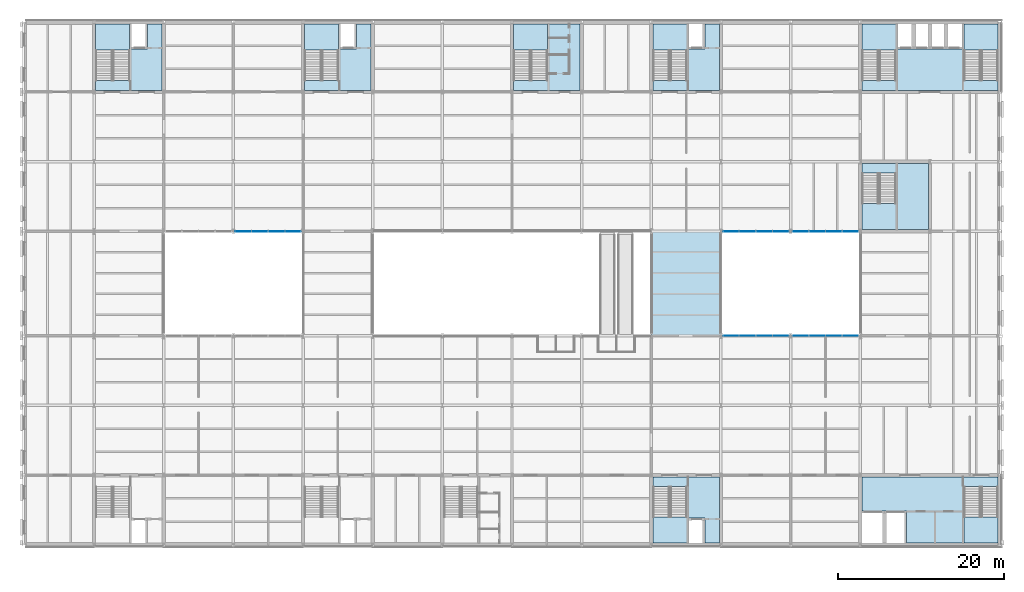
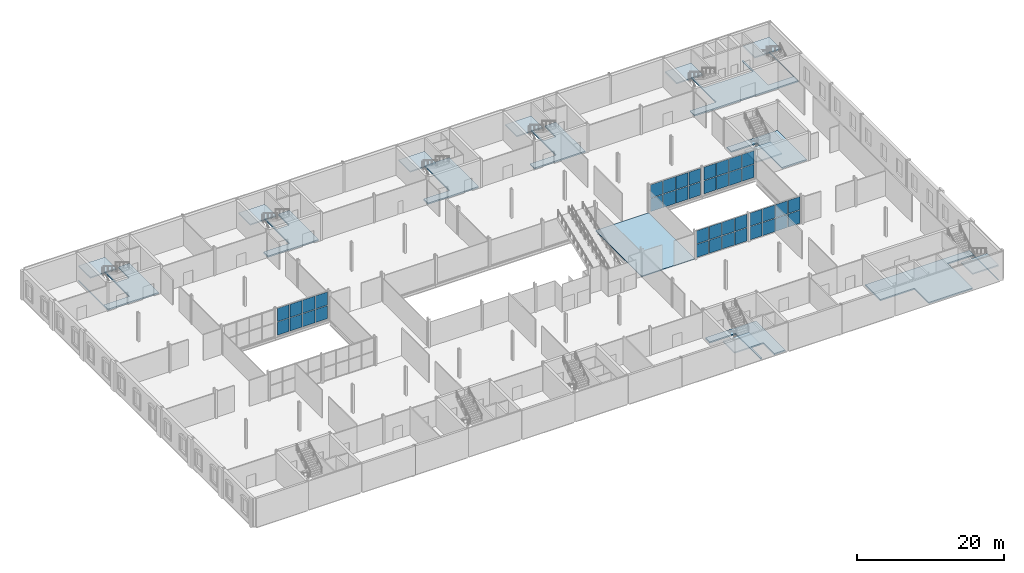
# One storey, part 26 of 57: 40 plates, 18 slabs, 14 elements without a shape of their own.
"""IFC4 building model written with IfcOpenShell, lengths in metres."""

import ifcopenshell
import ifcopenshell.guid

model = None  # the IFC model being written
_history = None  # IfcOwnerHistory: only IFC2X3 demands one
_inside = {}  # id of a spatial element -> (the spatial element, [elements in it])
_under = {}  # id of a project, library or spatial element -> (it, [spatial elements below it])
_declared = {}  # id of a project -> (the project, [libraries it declares])
_typed = {}  # id of a type object -> (the type object, [elements of that type])
_made_of = {}  # id of a material, layer set ... -> (it, [elements and type objects made of it])


def new_model(schema):
    """Start an empty IFC model of exactly this schema.

    Asked for "IFC4X3", IfcOpenShell would pick the latest addendum, in which some entities
    have other attributes; the version numbers below select the first issue.
    IFC2X3 requires an IfcOwnerHistory on every rooted entity: one is made here for all.
    """
    global model, _history
    if schema == "IFC4X3":
        model = ifcopenshell.file(schema_version=(4, 3, 0, 0))
    else:
        model = ifcopenshell.file(schema=schema)
    _inside.clear()
    _under.clear()
    _declared.clear()
    _typed.clear()
    _made_of.clear()
    _history = None
    if model.schema == "IFC2X3":
        org = make("IfcOrganization", Name="unknown")
        user = make(
            "IfcPersonAndOrganization",
            ThePerson=make("IfcPerson", FamilyName="unknown"),
            TheOrganization=org,
        )
        app = make(
            "IfcApplication",
            ApplicationDeveloper=org,
            Version="unknown",
            ApplicationFullName="unknown",
            ApplicationIdentifier="unknown",
        )
        _history = make(
            "IfcOwnerHistory",
            OwningUser=user,
            OwningApplication=app,
            ChangeAction="ADDED",
            CreationDate=0,
        )
    return model


def make(cls, **values):
    """One entity of the class cls with the attributes given. An attribute that is None is left unset."""
    return model.create_entity(
        cls, **{name: value for name, value in values.items() if value is not None}
    )


def rooted(cls, **values):
    """An entity with a GlobalId (a new one), such as an element, a storey or a relation."""
    return make(cls, GlobalId=ifcopenshell.guid.new(), OwnerHistory=_history, **values)


def si_unit(unit_type, name, prefix=None):
    """IfcSIUnit, for example si_unit("LENGTHUNIT", "METRE", prefix="MILLI")."""
    return make("IfcSIUnit", UnitType=unit_type, Prefix=prefix, Name=name)


def assignment(units):
    """IfcUnitAssignment: the units of a project."""
    return None if units is None else make("IfcUnitAssignment", Units=units)


def point(xyz):
    """IfcCartesianPoint."""
    return None if xyz is None else make("IfcCartesianPoint", Coordinates=xyz)


def direction(xyz):
    """IfcDirection."""
    return None if xyz is None else make("IfcDirection", DirectionRatios=xyz)


def frame(location, z_axis=None, x_axis=None):
    """IfcAxis2Placement3D, a coordinate frame: its origin and axes. An axis left out is left unset."""
    return make(
        "IfcAxis2Placement3D",
        Location=point(location),
        Axis=direction(z_axis),
        RefDirection=direction(x_axis),
    )


def frame_2d(location, x_axis=None):
    """IfcAxis2Placement2D, a coordinate frame in the plane: its origin and x axis."""
    return make(
        "IfcAxis2Placement2D", Location=point(location), RefDirection=direction(x_axis)
    )


def origin():
    """The frame at (0, 0, 0) with its axes left unset."""
    return frame((0.0, 0.0, 0.0))


def origin_2d():
    """The frame at (0, 0) in the plane with its x axis left unset."""
    return frame_2d((0.0, 0.0))


def place(relative_to, where):
    """IfcLocalPlacement: puts the frame where relative to a parent placement (None: the world)."""
    return make(
        "IfcLocalPlacement", PlacementRelTo=relative_to, RelativePlacement=where
    )


def context(
    kind, dimensions, precision=None, world=None, true_north=None, identifier=None
):
    """IfcGeometricRepresentationContext, for example the 3D "Model" context."""
    return make(
        "IfcGeometricRepresentationContext",
        ContextIdentifier=identifier,
        ContextType=kind,
        CoordinateSpaceDimension=dimensions,
        Precision=precision,
        WorldCoordinateSystem=world,
        TrueNorth=true_north,
    )


def subcontext(parent, identifier, kind, view, scale=None):
    """IfcGeometricRepresentationSubContext, for example "Body" below "Model"."""
    return make(
        "IfcGeometricRepresentationSubContext",
        ContextIdentifier=identifier,
        ContextType=kind,
        ParentContext=parent,
        TargetScale=scale,
        TargetView=view,
    )


def project(units=None, contexts=None):
    """IfcProject with its units and contexts."""
    return rooted(
        "IfcProject",
        Name="project",
        RepresentationContexts=contexts,
        UnitsInContext=assignment(units),
    )


def spatial(cls, under=None, at=None, **own):
    """A site, building, storey or space (cls), placed at a placement, below another one or the project."""
    s = rooted(cls, ObjectPlacement=at, **own)
    if under is not None:
        _under.setdefault(under.id(), (under, []))[1].append(s)
    return s


def polyline(points):
    """IfcPolyline through the points."""
    return make("IfcPolyline", Points=[point(p) for p in points])


def profile(cls, at=None, kind="AREA", **sizes):
    """A parametric profile (cls). Its sizes go by their IFC names, for example OverallWidth=200.0."""
    return make(cls, ProfileType=kind, Position=at, **sizes)


def rectangle(**sizes):
    """IfcRectangleProfileDef."""
    return profile("IfcRectangleProfileDef", **sizes)


def outline(outer, holes=None, kind="AREA"):
    """IfcArbitraryClosedProfileDef: a profile drawn as a closed curve; with holes, ...WithVoids."""
    if holes is None:
        return make("IfcArbitraryClosedProfileDef", ProfileType=kind, OuterCurve=outer)
    return make(
        "IfcArbitraryProfileDefWithVoids",
        ProfileType=kind,
        OuterCurve=outer,
        InnerCurves=holes,
    )


def extrude(swept, where, along, depth):
    """IfcExtrudedAreaSolid: the profile swept, set in the frame where, extruded along a direction by depth."""
    return make(
        "IfcExtrudedAreaSolid",
        SweptArea=swept,
        Position=where,
        ExtrudedDirection=direction(along),
        Depth=depth,
    )


def shape(context_of_items, identifier, shape_type, items):
    """IfcShapeRepresentation: the items that make up one representation, for example the "Body"."""
    return make(
        "IfcShapeRepresentation",
        ContextOfItems=context_of_items,
        RepresentationIdentifier=identifier,
        RepresentationType=shape_type,
        Items=items,
    )


def material(Name=None, Category=None):
    """IfcMaterial."""
    return make("IfcMaterial", Name=Name, Category=Category)


def layer(
    of_material, thickness, ventilated=None, Name=None, Category=None, Priority=None
):
    """IfcMaterialLayer: one layer of a wall or slab, of a material (None: an air gap)."""
    return make(
        "IfcMaterialLayer",
        Material=of_material,
        LayerThickness=thickness,
        IsVentilated=ventilated,
        Name=Name,
        Category=Category,
        Priority=Priority,
    )


def layer_set(layers, Name=None):
    """IfcMaterialLayerSet."""
    return make("IfcMaterialLayerSet", MaterialLayers=layers, LayerSetName=Name)


def made_of(thing, what):
    """Note that an element or type object is made of a material, layer set ...; save() writes the relation."""
    if what is not None:
        _made_of.setdefault(what.id(), (what, []))[1].append(thing)
    return thing


def type_object(cls, material=None, **own):
    """A type object (cls), such as IfcWallType, which elements share."""
    return made_of(rooted(cls, **own), material)


def element(
    cls,
    number,
    at=None,
    inside=None,
    cuts=None,
    type_object=None,
    material=None,
    context=None,
    identifier="Body",
    shape_type=None,
    held_by="IfcProductDefinitionShape",
    body=None,
    shapes=None,
    **own,
):
    """One element of the class cls, such as IfcWall. Its Tag is "e" and its number.

    at: its placement. inside: the storey or other place that contains it. cuts: it is an
    opening in that element (IfcRelVoidsElement). A single representation is given by context,
    identifier, shape_type and body (its items); several are given by shapes. held_by: the class
    of the entity that holds the representations. save() writes the other relations.
    """
    e = rooted(cls, Tag="e%d" % number, ObjectPlacement=at, **own)
    if body is not None:
        shapes = [shape(context, identifier, shape_type, body)]
    if shapes is not None:
        e.Representation = make(held_by, Representations=shapes)
    if inside is not None:
        _inside.setdefault(inside.id(), (inside, []))[1].append(e)
    if cuts is not None:
        rooted(
            "IfcRelVoidsElement", RelatingBuildingElement=cuts, RelatedOpeningElement=e
        )
    if type_object is not None:
        _typed.setdefault(type_object.id(), (type_object, []))[1].append(e)
    return made_of(e, material)


def aggregate(whole, parts):
    """IfcRelAggregates: a whole, such as a stair, and the parts it consists of."""
    return rooted("IfcRelAggregates", RelatingObject=whole, RelatedObjects=parts)


def save(model, path):
    """Write the relations noted so far, then the file.

    IfcRelAggregates (storeys below a building ...), IfcRelContainedInSpatialStructure (elements
    in a storey), IfcRelDefinesByType, IfcRelAssociatesMaterial and IfcRelDeclares: one each for
    every whole, place, type object, material and project.
    """
    for whole, parts in _under.values():
        aggregate(whole, parts)
    for where, things in _inside.values():
        rooted(
            "IfcRelContainedInSpatialStructure",
            RelatedElements=things,
            RelatingStructure=where,
        )
    for kind, things in _typed.values():
        rooted("IfcRelDefinesByType", RelatedObjects=things, RelatingType=kind)
    for what, things in _made_of.values():
        rooted("IfcRelAssociatesMaterial", RelatedObjects=things, RelatingMaterial=what)
    for by, libraries in _declared.values():
        rooted("IfcRelDeclares", RelatingContext=by, RelatedDefinitions=libraries)
    model.write(path)


model = new_model("IFC4")

# Units and contexts
model_context = context("Model", 3, precision=1e-05, world=origin(), true_north=direction((0.0, 1.0)))
body_context = subcontext(model_context, "Body", "Model", "MODEL_VIEW")
ifc_project = project(units=[si_unit("LENGTHUNIT", "METRE"), si_unit("AREAUNIT", "SQUARE_METRE"), si_unit("VOLUMEUNIT", "CUBIC_METRE"), si_unit("PLANEANGLEUNIT", "RADIAN"), si_unit("MASSUNIT", "GRAM", prefix="KILO")], contexts=[model_context])

# Site, building, storey
site_placement = place(None, origin())
site = spatial("IfcSite", under=ifc_project, at=site_placement, CompositionType="ELEMENT")
building_placement = place(site_placement, origin())
building = spatial("IfcBuilding", under=site, at=building_placement, Name="Galleria Vessillo Department Store", CompositionType="ELEMENT")
storey_placement = place(building_placement, frame((0.0, 0.0, 21.0)))
storey = spatial("IfcBuildingStorey", under=building, at=storey_placement, Name="L04", CompositionType="ELEMENT", Elevation=21.0)

# Slab
ifc_material_1 = material(Name="Concrete C32/40 composite on steel deck", Category="concrete")
ifc_layer_1 = layer(ifc_material_1, 0.14990234375)
ifc_layer_set_1 = layer_set([ifc_layer_1], Name="Concrete C32/40 composite on steel deck")
slab_type_1 = type_object("IfcSlabType", Name="Composite bridge slab 150 mm", PredefinedType="FLOOR", material=ifc_layer_set_1)
slab_1_placement = place(storey_placement, frame((0.0, 0.0, -0.14990234375)))
element("IfcSlab", 1, at=slab_1_placement, inside=storey, type_object=slab_type_1, Name="S-SLAB-L04-BRIDGE-E", PredefinedType="FLOOR", context=body_context, shape_type="SweptSolid", body=[
    extrude(outline(polyline([(84.0, 25.199951171875), (84.0, 37.800048828125), (75.60009765625, 37.800048828125), (75.60009765625, 25.199951171875), (84.0, 25.199951171875)])), origin(), (0.0, 0.0, 1.0), 0.14990234375),
])

# Curtain wall, plates
ifc_material_2 = material(Name="Steel and fire-resisting glass curtain wall", Category="steel")
ifc_layer_2 = layer(ifc_material_2, 0.199951171875)
ifc_layer_set_2 = layer_set([ifc_layer_2], Name="Steel and fire-resisting glass curtain wall")
curtain_wall_type = type_object("IfcCurtainWallType", Name="Arcade fire-resisting glazed shopfront EI 120-Sa", PredefinedType="NOTDEFINED", material=ifc_layer_set_2)
curtain_wall_1_placement = place(storey_placement, origin())
curtain_wall_1 = element("IfcCurtainWall", 2, at=curtain_wall_1_placement, inside=storey, type_object=curtain_wall_type, Name="Arcade fire-resisting glazed shopfront EI 120-Sa AI-AE-S-L04-01", PredefinedType="NOTDEFINED")
ifc_material_3 = material(Name="Fire-resisting laminated glass EI 120", Category="glass")
ifc_layer_3 = layer(ifc_material_3, 0.052001953125)
ifc_layer_set_3 = layer_set([ifc_layer_3], Name="Fire-resisting laminated glass EI 120")
plate_type = type_object("IfcPlateType", Name="Fire-resisting glass panel 52 mm EI 120", PredefinedType="CURTAIN_PANEL", material=ifc_layer_set_3)
plate_1_placement = place(storey_placement, frame((85.189453125, 25.199951171875, 0.10009765625), z_axis=(0.0, 0.0, 1.0), x_axis=(1.0, 0.0, 0.0)))
plate_1 = element("IfcPlate", 3, at=plate_1_placement, type_object=plate_type, Name="CW7 panel 1.1", PredefinedType="CURTAIN_PANEL", context=body_context, shape_type="SweptSolid", body=[
    extrude(rectangle(XDim=1.87353515625, YDim=0.052001953125, at=origin_2d()), origin(), (0.0, 0.0, 1.0), 2.175048828125),
])
plate_2_placement = place(storey_placement, frame((85.189453125, 25.199951171875, 2.375), z_axis=(0.0, 0.0, 1.0), x_axis=(1.0, 0.0, 0.0)))
plate_2 = element("IfcPlate", 4, at=plate_2_placement, type_object=plate_type, Name="CW7 panel 1.2", PredefinedType="CURTAIN_PANEL", context=body_context, shape_type="SweptSolid", body=[
    extrude(rectangle(XDim=1.87353515625, YDim=0.052001953125, at=origin_2d()), origin(), (0.0, 0.0, 1.0), 2.175048828125),
])
plate_3_placement = place(storey_placement, frame((87.18798828125, 25.199951171875, 0.10009765625), z_axis=(0.0, 0.0, 1.0), x_axis=(1.0, 0.0, 0.0)))
plate_3 = element("IfcPlate", 5, at=plate_3_placement, type_object=plate_type, Name="CW7 panel 2.1", PredefinedType="CURTAIN_PANEL", context=body_context, shape_type="SweptSolid", body=[
    extrude(rectangle(XDim=1.923583984375, YDim=0.052001953125, at=origin_2d()), origin(), (0.0, 0.0, 1.0), 2.175048828125),
])
plate_4_placement = place(storey_placement, frame((87.18798828125, 25.199951171875, 2.375), z_axis=(0.0, 0.0, 1.0), x_axis=(1.0, 0.0, 0.0)))
plate_4 = element("IfcPlate", 6, at=plate_4_placement, type_object=plate_type, Name="CW7 panel 2.2", PredefinedType="CURTAIN_PANEL", context=body_context, shape_type="SweptSolid", body=[
    extrude(rectangle(XDim=1.923583984375, YDim=0.052001953125, at=origin_2d()), origin(), (0.0, 0.0, 1.0), 2.175048828125),
])
plate_5_placement = place(storey_placement, frame((89.21142578125, 25.199951171875, 0.10009765625), z_axis=(0.0, 0.0, 1.0), x_axis=(1.0, 0.0, 0.0)))
plate_5 = element("IfcPlate", 7, at=plate_5_placement, type_object=plate_type, Name="CW7 panel 3.1", PredefinedType="CURTAIN_PANEL", context=body_context, shape_type="SweptSolid", body=[
    extrude(rectangle(XDim=1.923583984375, YDim=0.052001953125, at=origin_2d()), origin(), (0.0, 0.0, 1.0), 2.175048828125),
])
plate_6_placement = place(storey_placement, frame((89.21142578125, 25.199951171875, 2.375), z_axis=(0.0, 0.0, 1.0), x_axis=(1.0, 0.0, 0.0)))
plate_6 = element("IfcPlate", 8, at=plate_6_placement, type_object=plate_type, Name="CW7 panel 3.2", PredefinedType="CURTAIN_PANEL", context=body_context, shape_type="SweptSolid", body=[
    extrude(rectangle(XDim=1.923583984375, YDim=0.052001953125, at=origin_2d()), origin(), (0.0, 0.0, 1.0), 2.175048828125),
])
plate_7_placement = place(storey_placement, frame((91.2099609375, 25.199951171875, 0.10009765625), z_axis=(0.0, 0.0, 1.0), x_axis=(1.0, 0.0, 0.0)))
plate_7 = element("IfcPlate", 9, at=plate_7_placement, type_object=plate_type, Name="CW7 panel 4.1", PredefinedType="CURTAIN_PANEL", context=body_context, shape_type="SweptSolid", body=[
    extrude(rectangle(XDim=1.87353515625, YDim=0.052001953125, at=origin_2d()), origin(), (0.0, 0.0, 1.0), 2.175048828125),
])
plate_8_placement = place(storey_placement, frame((91.2099609375, 25.199951171875, 2.375), z_axis=(0.0, 0.0, 1.0), x_axis=(1.0, 0.0, 0.0)))
plate_8 = element("IfcPlate", 10, at=plate_8_placement, type_object=plate_type, Name="CW7 panel 4.2", PredefinedType="CURTAIN_PANEL", context=body_context, shape_type="SweptSolid", body=[
    extrude(rectangle(XDim=1.87353515625, YDim=0.052001953125, at=origin_2d()), origin(), (0.0, 0.0, 1.0), 2.175048828125),
])
aggregate(curtain_wall_1, [plate_1, plate_2, plate_3, plate_4, plate_5, plate_6, plate_7, plate_8])

curtain_wall_2_placement = place(storey_placement, origin())
curtain_wall_2 = element("IfcCurtainWall", 11, at=curtain_wall_2_placement, inside=storey, type_object=curtain_wall_type, Name="Arcade fire-resisting glazed shopfront EI 120-Sa AI-AE-S-L04-02", PredefinedType="NOTDEFINED")
plate_9_placement = place(storey_placement, frame((93.58984375, 25.199951171875, 0.10009765625), z_axis=(0.0, 0.0, 1.0), x_axis=(1.0, 0.0, 0.0)))
plate_9 = element("IfcPlate", 12, at=plate_9_placement, type_object=plate_type, Name="CW7 panel 1.1", PredefinedType="CURTAIN_PANEL", context=body_context, shape_type="SweptSolid", body=[
    extrude(rectangle(XDim=1.87353515625, YDim=0.052001953125, at=origin_2d()), origin(), (0.0, 0.0, 1.0), 2.175048828125),
])
plate_10_placement = place(storey_placement, frame((93.58984375, 25.199951171875, 2.375), z_axis=(0.0, 0.0, 1.0), x_axis=(1.0, 0.0, 0.0)))
plate_10 = element("IfcPlate", 13, at=plate_10_placement, type_object=plate_type, Name="CW7 panel 1.2", PredefinedType="CURTAIN_PANEL", context=body_context, shape_type="SweptSolid", body=[
    extrude(rectangle(XDim=1.87353515625, YDim=0.052001953125, at=origin_2d()), origin(), (0.0, 0.0, 1.0), 2.175048828125),
])
plate_11_placement = place(storey_placement, frame((95.58837890625, 25.199951171875, 0.10009765625), z_axis=(0.0, 0.0, 1.0), x_axis=(1.0, 0.0, 0.0)))
plate_11 = element("IfcPlate", 14, at=plate_11_placement, type_object=plate_type, Name="CW7 panel 2.1", PredefinedType="CURTAIN_PANEL", context=body_context, shape_type="SweptSolid", body=[
    extrude(rectangle(XDim=1.923583984375, YDim=0.052001953125, at=origin_2d()), origin(), (0.0, 0.0, 1.0), 2.175048828125),
])
plate_12_placement = place(storey_placement, frame((95.58837890625, 25.199951171875, 2.375), z_axis=(0.0, 0.0, 1.0), x_axis=(1.0, 0.0, 0.0)))
plate_12 = element("IfcPlate", 15, at=plate_12_placement, type_object=plate_type, Name="CW7 panel 2.2", PredefinedType="CURTAIN_PANEL", context=body_context, shape_type="SweptSolid", body=[
    extrude(rectangle(XDim=1.923583984375, YDim=0.052001953125, at=origin_2d()), origin(), (0.0, 0.0, 1.0), 2.175048828125),
])
plate_13_placement = place(storey_placement, frame((97.612060546875, 25.199951171875, 0.10009765625), z_axis=(0.0, 0.0, 1.0), x_axis=(1.0, 0.0, 0.0)))
plate_13 = element("IfcPlate", 16, at=plate_13_placement, type_object=plate_type, Name="CW7 panel 3.1", PredefinedType="CURTAIN_PANEL", context=body_context, shape_type="SweptSolid", body=[
    extrude(rectangle(XDim=1.923583984375, YDim=0.052001953125, at=origin_2d()), origin(), (0.0, 0.0, 1.0), 2.175048828125),
])
plate_14_placement = place(storey_placement, frame((97.612060546875, 25.199951171875, 2.375), z_axis=(0.0, 0.0, 1.0), x_axis=(1.0, 0.0, 0.0)))
plate_14 = element("IfcPlate", 17, at=plate_14_placement, type_object=plate_type, Name="CW7 panel 3.2", PredefinedType="CURTAIN_PANEL", context=body_context, shape_type="SweptSolid", body=[
    extrude(rectangle(XDim=1.923583984375, YDim=0.052001953125, at=origin_2d()), origin(), (0.0, 0.0, 1.0), 2.175048828125),
])
plate_15_placement = place(storey_placement, frame((99.610595703125, 25.199951171875, 0.10009765625), z_axis=(0.0, 0.0, 1.0), x_axis=(1.0, 0.0, 0.0)))
plate_15 = element("IfcPlate", 18, at=plate_15_placement, type_object=plate_type, Name="CW7 panel 4.1", PredefinedType="CURTAIN_PANEL", context=body_context, shape_type="SweptSolid", body=[
    extrude(rectangle(XDim=1.87353515625, YDim=0.052001953125, at=origin_2d()), origin(), (0.0, 0.0, 1.0), 2.175048828125),
])
plate_16_placement = place(storey_placement, frame((99.610595703125, 25.199951171875, 2.375), z_axis=(0.0, 0.0, 1.0), x_axis=(1.0, 0.0, 0.0)))
plate_16 = element("IfcPlate", 19, at=plate_16_placement, type_object=plate_type, Name="CW7 panel 4.2", PredefinedType="CURTAIN_PANEL", context=body_context, shape_type="SweptSolid", body=[
    extrude(rectangle(XDim=1.87353515625, YDim=0.052001953125, at=origin_2d()), origin(), (0.0, 0.0, 1.0), 2.175048828125),
])
aggregate(curtain_wall_2, [plate_9, plate_10, plate_11, plate_12, plate_13, plate_14, plate_15, plate_16])

curtain_wall_3_placement = place(storey_placement, origin())
curtain_wall_3 = element("IfcCurtainWall", 20, at=curtain_wall_3_placement, inside=storey, type_object=curtain_wall_type, Name="Arcade fire-resisting glazed shopfront EI 120-Sa AI-AW-N-L04-02", PredefinedType="NOTDEFINED")
plate_17_placement = place(storey_placement, frame((26.389892578125, 37.800048828125, 0.10009765625), z_axis=(0.0, 0.0, 1.0), x_axis=(1.0, 0.0, 0.0)))
plate_17 = element("IfcPlate", 21, at=plate_17_placement, type_object=plate_type, Name="CW7 panel 1.1", PredefinedType="CURTAIN_PANEL", context=body_context, shape_type="SweptSolid", body=[
    extrude(rectangle(XDim=1.87353515625, YDim=0.052001953125, at=origin_2d()), origin(), (0.0, 0.0, 1.0), 2.175048828125),
])
plate_18_placement = place(storey_placement, frame((26.389892578125, 37.800048828125, 2.375), z_axis=(0.0, 0.0, 1.0), x_axis=(1.0, 0.0, 0.0)))
plate_18 = element("IfcPlate", 22, at=plate_18_placement, type_object=plate_type, Name="CW7 panel 1.2", PredefinedType="CURTAIN_PANEL", context=body_context, shape_type="SweptSolid", body=[
    extrude(rectangle(XDim=1.87353515625, YDim=0.052001953125, at=origin_2d()), origin(), (0.0, 0.0, 1.0), 2.175048828125),
])
plate_19_placement = place(storey_placement, frame((28.388427734375, 37.800048828125, 0.10009765625), z_axis=(0.0, 0.0, 1.0), x_axis=(1.0, 0.0, 0.0)))
plate_19 = element("IfcPlate", 23, at=plate_19_placement, type_object=plate_type, Name="CW7 panel 2.1", PredefinedType="CURTAIN_PANEL", context=body_context, shape_type="SweptSolid", body=[
    extrude(rectangle(XDim=1.923583984375, YDim=0.052001953125, at=origin_2d()), origin(), (0.0, 0.0, 1.0), 2.175048828125),
])
plate_20_placement = place(storey_placement, frame((28.388427734375, 37.800048828125, 2.375), z_axis=(0.0, 0.0, 1.0), x_axis=(1.0, 0.0, 0.0)))
plate_20 = element("IfcPlate", 24, at=plate_20_placement, type_object=plate_type, Name="CW7 panel 2.2", PredefinedType="CURTAIN_PANEL", context=body_context, shape_type="SweptSolid", body=[
    extrude(rectangle(XDim=1.923583984375, YDim=0.052001953125, at=origin_2d()), origin(), (0.0, 0.0, 1.0), 2.175048828125),
])
plate_21_placement = place(storey_placement, frame((30.412109375, 37.800048828125, 0.10009765625), z_axis=(0.0, 0.0, 1.0), x_axis=(1.0, 0.0, 0.0)))
plate_21 = element("IfcPlate", 25, at=plate_21_placement, type_object=plate_type, Name="CW7 panel 3.1", PredefinedType="CURTAIN_PANEL", context=body_context, shape_type="SweptSolid", body=[
    extrude(rectangle(XDim=1.923583984375, YDim=0.052001953125, at=origin_2d()), origin(), (0.0, 0.0, 1.0), 2.175048828125),
])
plate_22_placement = place(storey_placement, frame((30.412109375, 37.800048828125, 2.375), z_axis=(0.0, 0.0, 1.0), x_axis=(1.0, 0.0, 0.0)))
plate_22 = element("IfcPlate", 26, at=plate_22_placement, type_object=plate_type, Name="CW7 panel 3.2", PredefinedType="CURTAIN_PANEL", context=body_context, shape_type="SweptSolid", body=[
    extrude(rectangle(XDim=1.923583984375, YDim=0.052001953125, at=origin_2d()), origin(), (0.0, 0.0, 1.0), 2.175048828125),
])
plate_23_placement = place(storey_placement, frame((32.41064453125, 37.800048828125, 0.10009765625), z_axis=(0.0, 0.0, 1.0), x_axis=(1.0, 0.0, 0.0)))
plate_23 = element("IfcPlate", 27, at=plate_23_placement, type_object=plate_type, Name="CW7 panel 4.1", PredefinedType="CURTAIN_PANEL", context=body_context, shape_type="SweptSolid", body=[
    extrude(rectangle(XDim=1.87353515625, YDim=0.052001953125, at=origin_2d()), origin(), (0.0, 0.0, 1.0), 2.175048828125),
])
plate_24_placement = place(storey_placement, frame((32.41064453125, 37.800048828125, 2.375), z_axis=(0.0, 0.0, 1.0), x_axis=(1.0, 0.0, 0.0)))
plate_24 = element("IfcPlate", 28, at=plate_24_placement, type_object=plate_type, Name="CW7 panel 4.2", PredefinedType="CURTAIN_PANEL", context=body_context, shape_type="SweptSolid", body=[
    extrude(rectangle(XDim=1.87353515625, YDim=0.052001953125, at=origin_2d()), origin(), (0.0, 0.0, 1.0), 2.175048828125),
])
aggregate(curtain_wall_3, [plate_17, plate_18, plate_19, plate_20, plate_21, plate_22, plate_23, plate_24])

curtain_wall_4_placement = place(storey_placement, origin())
curtain_wall_4 = element("IfcCurtainWall", 29, at=curtain_wall_4_placement, inside=storey, type_object=curtain_wall_type, Name="Arcade fire-resisting glazed shopfront EI 120-Sa AI-AE-N-L04-01", PredefinedType="NOTDEFINED")
plate_25_placement = place(storey_placement, frame((85.190185546875, 37.800048828125, 0.10009765625), z_axis=(0.0, 0.0, 1.0), x_axis=(1.0, 0.0, 0.0)))
plate_25 = element("IfcPlate", 30, at=plate_25_placement, type_object=plate_type, Name="CW7 panel 1.1", PredefinedType="CURTAIN_PANEL", context=body_context, shape_type="SweptSolid", body=[
    extrude(rectangle(XDim=1.873291015625, YDim=0.052001953125, at=origin_2d()), origin(), (0.0, 0.0, 1.0), 2.175048828125),
])
plate_26_placement = place(storey_placement, frame((85.190185546875, 37.800048828125, 2.375), z_axis=(0.0, 0.0, 1.0), x_axis=(1.0, 0.0, 0.0)))
plate_26 = element("IfcPlate", 31, at=plate_26_placement, type_object=plate_type, Name="CW7 panel 1.2", PredefinedType="CURTAIN_PANEL", context=body_context, shape_type="SweptSolid", body=[
    extrude(rectangle(XDim=1.873291015625, YDim=0.052001953125, at=origin_2d()), origin(), (0.0, 0.0, 1.0), 2.175048828125),
])
plate_27_placement = place(storey_placement, frame((87.188232421875, 37.800048828125, 0.10009765625), z_axis=(0.0, 0.0, 1.0), x_axis=(1.0, 0.0, 0.0)))
plate_27 = element("IfcPlate", 32, at=plate_27_placement, type_object=plate_type, Name="CW7 panel 2.1", PredefinedType="CURTAIN_PANEL", context=body_context, shape_type="SweptSolid", body=[
    extrude(rectangle(XDim=1.923095703125, YDim=0.052001953125, at=origin_2d()), origin(), (0.0, 0.0, 1.0), 2.175048828125),
])
plate_28_placement = place(storey_placement, frame((87.188232421875, 37.800048828125, 2.375), z_axis=(0.0, 0.0, 1.0), x_axis=(1.0, 0.0, 0.0)))
plate_28 = element("IfcPlate", 33, at=plate_28_placement, type_object=plate_type, Name="CW7 panel 2.2", PredefinedType="CURTAIN_PANEL", context=body_context, shape_type="SweptSolid", body=[
    extrude(rectangle(XDim=1.923095703125, YDim=0.052001953125, at=origin_2d()), origin(), (0.0, 0.0, 1.0), 2.175048828125),
])
plate_29_placement = place(storey_placement, frame((89.211669921875, 37.800048828125, 0.10009765625), z_axis=(0.0, 0.0, 1.0), x_axis=(1.0, 0.0, 0.0)))
plate_29 = element("IfcPlate", 34, at=plate_29_placement, type_object=plate_type, Name="CW7 panel 3.1", PredefinedType="CURTAIN_PANEL", context=body_context, shape_type="SweptSolid", body=[
    extrude(rectangle(XDim=1.923095703125, YDim=0.052001953125, at=origin_2d()), origin(), (0.0, 0.0, 1.0), 2.175048828125),
])
plate_30_placement = place(storey_placement, frame((89.211669921875, 37.800048828125, 2.375), z_axis=(0.0, 0.0, 1.0), x_axis=(1.0, 0.0, 0.0)))
plate_30 = element("IfcPlate", 35, at=plate_30_placement, type_object=plate_type, Name="CW7 panel 3.2", PredefinedType="CURTAIN_PANEL", context=body_context, shape_type="SweptSolid", body=[
    extrude(rectangle(XDim=1.923095703125, YDim=0.052001953125, at=origin_2d()), origin(), (0.0, 0.0, 1.0), 2.175048828125),
])
plate_31_placement = place(storey_placement, frame((91.209716796875, 37.800048828125, 0.10009765625), z_axis=(0.0, 0.0, 1.0), x_axis=(1.0, 0.0, 0.0)))
plate_31 = element("IfcPlate", 36, at=plate_31_placement, type_object=plate_type, Name="CW7 panel 4.1", PredefinedType="CURTAIN_PANEL", context=body_context, shape_type="SweptSolid", body=[
    extrude(rectangle(XDim=1.873291015625, YDim=0.052001953125, at=origin_2d()), origin(), (0.0, 0.0, 1.0), 2.175048828125),
])
plate_32_placement = place(storey_placement, frame((91.209716796875, 37.800048828125, 2.375), z_axis=(0.0, 0.0, 1.0), x_axis=(1.0, 0.0, 0.0)))
plate_32 = element("IfcPlate", 37, at=plate_32_placement, type_object=plate_type, Name="CW7 panel 4.2", PredefinedType="CURTAIN_PANEL", context=body_context, shape_type="SweptSolid", body=[
    extrude(rectangle(XDim=1.873291015625, YDim=0.052001953125, at=origin_2d()), origin(), (0.0, 0.0, 1.0), 2.175048828125),
])
aggregate(curtain_wall_4, [plate_25, plate_26, plate_27, plate_28, plate_29, plate_30, plate_31, plate_32])

curtain_wall_5_placement = place(storey_placement, origin())
curtain_wall_5 = element("IfcCurtainWall", 38, at=curtain_wall_5_placement, inside=storey, type_object=curtain_wall_type, Name="Arcade fire-resisting glazed shopfront EI 120-Sa AI-AE-N-L04-02", PredefinedType="NOTDEFINED")
plate_33_placement = place(storey_placement, frame((93.590087890625, 37.800048828125, 0.10009765625), z_axis=(0.0, 0.0, 1.0), x_axis=(1.0, 0.0, 0.0)))
plate_33 = element("IfcPlate", 39, at=plate_33_placement, type_object=plate_type, Name="CW7 panel 1.1", PredefinedType="CURTAIN_PANEL", context=body_context, shape_type="SweptSolid", body=[
    extrude(rectangle(XDim=1.873291015625, YDim=0.052001953125, at=origin_2d()), origin(), (0.0, 0.0, 1.0), 2.175048828125),
])
plate_34_placement = place(storey_placement, frame((93.590087890625, 37.800048828125, 2.375), z_axis=(0.0, 0.0, 1.0), x_axis=(1.0, 0.0, 0.0)))
plate_34 = element("IfcPlate", 40, at=plate_34_placement, type_object=plate_type, Name="CW7 panel 1.2", PredefinedType="CURTAIN_PANEL", context=body_context, shape_type="SweptSolid", body=[
    extrude(rectangle(XDim=1.873291015625, YDim=0.052001953125, at=origin_2d()), origin(), (0.0, 0.0, 1.0), 2.175048828125),
])
plate_35_placement = place(storey_placement, frame((95.58837890625, 37.800048828125, 0.10009765625), z_axis=(0.0, 0.0, 1.0), x_axis=(1.0, 0.0, 0.0)))
plate_35 = element("IfcPlate", 41, at=plate_35_placement, type_object=plate_type, Name="CW7 panel 2.1", PredefinedType="CURTAIN_PANEL", context=body_context, shape_type="SweptSolid", body=[
    extrude(rectangle(XDim=1.92333984375, YDim=0.052001953125, at=origin_2d()), origin(), (0.0, 0.0, 1.0), 2.175048828125),
])
plate_36_placement = place(storey_placement, frame((95.58837890625, 37.800048828125, 2.375), z_axis=(0.0, 0.0, 1.0), x_axis=(1.0, 0.0, 0.0)))
plate_36 = element("IfcPlate", 42, at=plate_36_placement, type_object=plate_type, Name="CW7 panel 2.2", PredefinedType="CURTAIN_PANEL", context=body_context, shape_type="SweptSolid", body=[
    extrude(rectangle(XDim=1.92333984375, YDim=0.052001953125, at=origin_2d()), origin(), (0.0, 0.0, 1.0), 2.175048828125),
])
plate_37_placement = place(storey_placement, frame((97.611572265625, 37.800048828125, 0.10009765625), z_axis=(0.0, 0.0, 1.0), x_axis=(1.0, 0.0, 0.0)))
plate_37 = element("IfcPlate", 43, at=plate_37_placement, type_object=plate_type, Name="CW7 panel 3.1", PredefinedType="CURTAIN_PANEL", context=body_context, shape_type="SweptSolid", body=[
    extrude(rectangle(XDim=1.92333984375, YDim=0.052001953125, at=origin_2d()), origin(), (0.0, 0.0, 1.0), 2.175048828125),
])
plate_38_placement = place(storey_placement, frame((97.611572265625, 37.800048828125, 2.375), z_axis=(0.0, 0.0, 1.0), x_axis=(1.0, 0.0, 0.0)))
plate_38 = element("IfcPlate", 44, at=plate_38_placement, type_object=plate_type, Name="CW7 panel 3.2", PredefinedType="CURTAIN_PANEL", context=body_context, shape_type="SweptSolid", body=[
    extrude(rectangle(XDim=1.92333984375, YDim=0.052001953125, at=origin_2d()), origin(), (0.0, 0.0, 1.0), 2.175048828125),
])
plate_39_placement = place(storey_placement, frame((99.60986328125, 37.800048828125, 0.10009765625), z_axis=(0.0, 0.0, 1.0), x_axis=(1.0, 0.0, 0.0)))
plate_39 = element("IfcPlate", 45, at=plate_39_placement, type_object=plate_type, Name="CW7 panel 4.1", PredefinedType="CURTAIN_PANEL", context=body_context, shape_type="SweptSolid", body=[
    extrude(rectangle(XDim=1.873291015625, YDim=0.052001953125, at=origin_2d()), origin(), (0.0, 0.0, 1.0), 2.175048828125),
])
plate_40_placement = place(storey_placement, frame((99.60986328125, 37.800048828125, 2.375), z_axis=(0.0, 0.0, 1.0), x_axis=(1.0, 0.0, 0.0)))
plate_40 = element("IfcPlate", 46, at=plate_40_placement, type_object=plate_type, Name="CW7 panel 4.2", PredefinedType="CURTAIN_PANEL", context=body_context, shape_type="SweptSolid", body=[
    extrude(rectangle(XDim=1.873291015625, YDim=0.052001953125, at=origin_2d()), origin(), (0.0, 0.0, 1.0), 2.175048828125),
])
aggregate(curtain_wall_5, [plate_33, plate_34, plate_35, plate_36, plate_37, plate_38, plate_39, plate_40])

# Slabs
ifc_material_4 = material(Name="Concrete C32/40 reinforced", Category="concrete")
ifc_layer_4 = layer(ifc_material_4, 0.219970703125)
ifc_layer_set_4 = layer_set([ifc_layer_4], Name="Concrete C32/40 reinforced")
slab_type_2 = type_object("IfcSlabType", Name="Reinforced concrete core floor slab 220 mm", PredefinedType="FLOOR", material=ifc_layer_set_4)
slab_2_placement = place(storey_placement, frame((0.0, 0.0, -0.219970703125)))
element("IfcSlab", 47, at=slab_2_placement, inside=storey, type_object=slab_type_2, Name="S-SLAB-L04-CORE-PC-NW", PredefinedType="FLOOR", context=body_context, shape_type="SweptSolid", body=[
    extrude(outline(polyline([(16.60009765625, 62.800048828125), (16.60009765625, 54.800048828125), (8.599853515625, 54.800048828125), (8.60009765625, 62.800048828125), (8.60009765625, 56.0), (12.699951171875, 56.0), (12.699951171875, 62.800048828125), (12.89990234375, 62.800048828125), (12.89990234375, 59.800048828125), (14.85009765625, 59.800048828125), (14.85009765625, 62.800048828125), (16.60009765625, 62.800048828125)])), origin(), (0.0, 0.0, 1.0), 0.219970703125),
])
slab_3_placement = place(storey_placement, frame((0.0, 0.0, -0.219970703125)))
element("IfcSlab", 48, at=slab_3_placement, inside=storey, type_object=slab_type_2, Name="S-SLAB-L04-CORE-PC-NM", PredefinedType="FLOOR", context=body_context, shape_type="SweptSolid", body=[
    extrude(outline(polyline([(41.800048828125, 62.800048828125), (41.800048828125, 54.800048828125), (33.800048828125, 54.800048828125), (33.800048828125, 56.0), (37.89990234375, 56.0), (37.89990234375, 62.800048828125), (38.10009765625, 62.800048828125), (38.10009765625, 59.800048828125), (40.050048828125, 59.800048828125), (40.050048828125, 62.800048828125), (41.800048828125, 62.800048828125)])), origin(), (0.0, 0.0, 1.0), 0.219970703125),
])
slab_4_placement = place(storey_placement, frame((0.0, 0.0, -0.219970703125)))
element("IfcSlab", 49, at=slab_4_placement, inside=storey, type_object=slab_type_2, Name="S-SLAB-L04-CORE-PC-SE", PredefinedType="FLOOR", context=body_context, shape_type="SweptSolid", body=[
    extrude(outline(polyline([(75.800048828125, 8.199951171875), (83.800048828125, 8.199951171875), (83.800048828125, 0.199951171875), (82.050048828125, 0.199951171875), (82.050048828125, 3.199951171875), (80.10009765625, 3.199951171875), (80.10009765625, 0.199951171875), (79.89990234375, 0.199951171875), (79.89990234375, 7.0), (75.800048828125, 7.0), (75.800048828125, 8.199951171875)])), origin(), (0.0, 0.0, 1.0), 0.219970703125),
])
slab_5_placement = place(storey_placement, frame((0.0, 0.0, -0.219970703125)))
element("IfcSlab", 50, at=slab_5_placement, inside=storey, type_object=slab_type_2, Name="S-SLAB-L04-CORE-PC-NE", PredefinedType="FLOOR", context=body_context, shape_type="SweptSolid", body=[
    extrude(outline(polyline([(83.800048828125, 62.800048828125), (83.800048828125, 54.800048828125), (75.800048828125, 54.800048828125), (75.800048828125, 56.0), (79.89990234375, 56.0), (79.89990234375, 62.800048828125), (80.10009765625, 62.800048828125), (80.10009765625, 59.800048828125), (82.050048828125, 59.800048828125), (82.050048828125, 62.800048828125), (83.800048828125, 62.800048828125)])), origin(), (0.0, 0.0, 1.0), 0.219970703125),
])
slab_6_placement = place(storey_placement, frame((0.0, 0.0, -0.219970703125)))
element("IfcSlab", 51, at=slab_6_placement, inside=storey, type_object=slab_type_2, Name="S-SLAB-L04-CORE-PC-NC", PredefinedType="FLOOR", context=body_context, shape_type="SweptSolid", body=[
    extrude(outline(polyline([(67.0, 62.800048828125), (67.0, 54.800048828125), (59.0, 54.800048828125), (59.0, 56.0), (63.10009765625, 56.0), (63.10009765625, 62.800048828125), (67.0, 62.800048828125)])), origin(), (0.0, 0.0, 1.0), 0.219970703125),
])
slab_7_placement = place(storey_placement, frame((0.0, 0.0, -0.219970703125)))
element("IfcSlab", 52, at=slab_7_placement, inside=storey, type_object=slab_type_2, Name="S-SLAB-L04-CORE-GC", PredefinedType="FLOOR", context=body_context, shape_type="SweptSolid", body=[
    extrude(outline(polyline([(101.0, 8.199951171875), (117.400146484375, 8.199951171875), (117.39990234375, 0.199951171875), (117.39990234375, 7.0), (113.300048828125, 7.0), (113.300048828125, 0.199951171875), (106.39990234375, 0.199951171875), (106.39990234375, 4.10009765625), (101.0, 4.10009765625), (101.0, 8.199951171875)])), origin(), (0.0, 0.0, 1.0), 0.219970703125),
])
slab_8_placement = place(storey_placement, frame((0.0, 0.0, -0.219970703125)))
element("IfcSlab", 53, at=slab_8_placement, inside=storey, type_object=slab_type_2, Name="S-SLAB-L04-CORE-TC", PredefinedType="FLOOR", context=body_context, shape_type="SweptSolid", body=[
    extrude(outline(polyline([(117.400146484375, 54.800048828125), (101.0, 54.800048828125), (101.0, 56.0), (105.10009765625, 56.0), (105.10009765625, 62.800048828125), (105.300048828125, 62.800048828125), (105.300048828125, 59.800048828125), (113.10009765625, 59.800048828125), (113.10009765625, 62.800048828125), (113.300048828125, 62.800048828125), (113.300048828125, 56.0), (117.39990234375, 56.0), (117.39990234375, 62.800048828125), (117.400146484375, 54.800048828125)])), origin(), (0.0, 0.0, 1.0), 0.219970703125),
])
slab_9_placement = place(storey_placement, frame((0.0, 0.0, -0.219970703125)))
element("IfcSlab", 54, at=slab_9_placement, inside=storey, type_object=slab_type_2, Name="S-SLAB-L04-CORE-TS", PredefinedType="FLOOR", context=body_context, shape_type="SweptSolid", body=[
    extrude(outline(polyline([(101.0, 46.0), (109.0, 46.0), (109.0, 38.0), (105.10009765625, 38.0), (105.10009765625, 44.800048828125), (101.0, 44.800048828125), (101.0, 46.0)])), origin(), (0.0, 0.0, 1.0), 0.219970703125),
])

# Stair, slab
ifc_material_5 = material(Name="Concrete C32/40", Category="concrete")
stair_type = type_object("IfcStairType", Name="Half-turn escape stair 2000 mm, 28 risers of 171 mm", PredefinedType="HALF_TURN_STAIR", material=ifc_material_5)
stair_1_placement = place(storey_placement, origin())
stair_1 = element("IfcStair", 55, at=stair_1_placement, inside=storey, type_object=stair_type, Name="Stair ST2 L04", PredefinedType="HALF_TURN_STAIR")
ifc_material_6 = material(Name="Concrete C32/40", Category="concrete")
ifc_layer_5 = layer(ifc_material_6, 0.199951171875)
ifc_layer_set_5 = layer_set([ifc_layer_5], Name="Concrete C32/40")
slab_type_3 = type_object("IfcSlabType", Name="Stair half landing 4100 x 3160 mm", PredefinedType="LANDING", material=ifc_layer_set_5)
slab_10_placement = place(storey_placement, frame((0.0, 0.0, 2.199951171875)))
slab_10 = element("IfcSlab", 56, at=slab_10_placement, type_object=slab_type_3, Name="ST2 landing 1", PredefinedType="LANDING", context=body_context, shape_type="SweptSolid", body=[
    extrude(outline(polyline([(8.599853515625, 59.639892578125), (8.599853515625, 62.800048828125), (12.699951171875, 62.800048828125), (12.699951171875, 59.639892578125), (8.599853515625, 59.639892578125)])), origin(), (0.0, 0.0, 1.0), 0.199951171875),
])
aggregate(stair_1, [slab_10])

stair_2_placement = place(storey_placement, origin())
stair_2 = element("IfcStair", 57, at=stair_2_placement, inside=storey, type_object=stair_type, Name="Stair ST4 L04", PredefinedType="HALF_TURN_STAIR")
slab_11_placement = place(storey_placement, frame((0.0, 0.0, 2.199951171875)))
slab_11 = element("IfcSlab", 58, at=slab_11_placement, type_object=slab_type_3, Name="ST4 landing 1", PredefinedType="LANDING", context=body_context, shape_type="SweptSolid", body=[
    extrude(outline(polyline([(33.800048828125, 59.639892578125), (33.800048828125, 62.800048828125), (37.900146484375, 62.800048828125), (37.900146484375, 59.639892578125), (33.800048828125, 59.639892578125)])), origin(), (0.0, 0.0, 1.0), 0.199951171875),
])
aggregate(stair_2, [slab_11])

stair_3_placement = place(storey_placement, origin())
stair_3 = element("IfcStair", 59, at=stair_3_placement, inside=storey, type_object=stair_type, Name="Stair ST5 L04", PredefinedType="HALF_TURN_STAIR")
slab_12_placement = place(storey_placement, frame((0.0, 0.0, 2.199951171875)))
slab_12 = element("IfcSlab", 60, at=slab_12_placement, type_object=slab_type_3, Name="ST5 landing 1", PredefinedType="LANDING", context=body_context, shape_type="SweptSolid", body=[
    extrude(outline(polyline([(75.800048828125, 0.199951171875), (75.800048828125, 3.360107421875), (79.900146484375, 3.360107421875), (79.900146484375, 0.199951171875), (75.800048828125, 0.199951171875)])), origin(), (0.0, 0.0, 1.0), 0.199951171875),
])
aggregate(stair_3, [slab_12])

stair_4_placement = place(storey_placement, origin())
stair_4 = element("IfcStair", 61, at=stair_4_placement, inside=storey, type_object=stair_type, Name="Stair ST6 L04", PredefinedType="HALF_TURN_STAIR")
slab_13_placement = place(storey_placement, frame((0.0, 0.0, 2.199951171875)))
slab_13 = element("IfcSlab", 62, at=slab_13_placement, type_object=slab_type_3, Name="ST6 landing 1", PredefinedType="LANDING", context=body_context, shape_type="SweptSolid", body=[
    extrude(outline(polyline([(75.800048828125, 59.639892578125), (75.800048828125, 62.800048828125), (79.900146484375, 62.800048828125), (79.900146484375, 59.639892578125), (75.800048828125, 59.639892578125)])), origin(), (0.0, 0.0, 1.0), 0.199951171875),
])
aggregate(stair_4, [slab_13])

stair_5_placement = place(storey_placement, origin())
stair_5 = element("IfcStair", 63, at=stair_5_placement, inside=storey, type_object=stair_type, Name="Stair ST11 L04", PredefinedType="HALF_TURN_STAIR")
slab_14_placement = place(storey_placement, frame((0.0, 0.0, 2.199951171875)))
slab_14 = element("IfcSlab", 64, at=slab_14_placement, type_object=slab_type_3, Name="ST11 landing 1", PredefinedType="LANDING", context=body_context, shape_type="SweptSolid", body=[
    extrude(outline(polyline([(59.0, 59.639892578125), (59.0, 62.800048828125), (63.10009765625, 62.800048828125), (63.10009765625, 59.639892578125), (59.0, 59.639892578125)])), origin(), (0.0, 0.0, 1.0), 0.199951171875),
])
aggregate(stair_5, [slab_14])

stair_6_placement = place(storey_placement, origin())
stair_6 = element("IfcStair", 65, at=stair_6_placement, inside=storey, type_object=stair_type, Name="Stair ST7 L04", PredefinedType="HALF_TURN_STAIR")
slab_15_placement = place(storey_placement, frame((0.0, 0.0, 2.199951171875)))
slab_15 = element("IfcSlab", 66, at=slab_15_placement, type_object=slab_type_3, Name="ST7 landing 1", PredefinedType="LANDING", context=body_context, shape_type="SweptSolid", body=[
    extrude(outline(polyline([(113.300048828125, 0.199951171875), (113.300048828125, 3.360107421875), (117.400146484375, 3.360107421875), (117.400146484375, 0.199951171875), (113.300048828125, 0.199951171875)])), origin(), (0.0, 0.0, 1.0), 0.199951171875),
])
aggregate(stair_6, [slab_15])

stair_7_placement = place(storey_placement, origin())
stair_7 = element("IfcStair", 67, at=stair_7_placement, inside=storey, type_object=stair_type, Name="Stair ST8 L04", PredefinedType="HALF_TURN_STAIR")
slab_16_placement = place(storey_placement, frame((0.0, 0.0, 2.199951171875)))
slab_16 = element("IfcSlab", 68, at=slab_16_placement, type_object=slab_type_3, Name="ST8 landing 1", PredefinedType="LANDING", context=body_context, shape_type="SweptSolid", body=[
    extrude(outline(polyline([(101.0, 59.639892578125), (101.0, 62.800048828125), (105.10009765625, 62.800048828125), (105.10009765625, 59.639892578125), (101.0, 59.639892578125)])), origin(), (0.0, 0.0, 1.0), 0.199951171875),
])
aggregate(stair_7, [slab_16])

stair_8_placement = place(storey_placement, origin())
stair_8 = element("IfcStair", 69, at=stair_8_placement, inside=storey, type_object=stair_type, Name="Stair ST9 L04", PredefinedType="HALF_TURN_STAIR")
slab_17_placement = place(storey_placement, frame((0.0, 0.0, 2.199951171875)))
slab_17 = element("IfcSlab", 70, at=slab_17_placement, type_object=slab_type_3, Name="ST9 landing 1", PredefinedType="LANDING", context=body_context, shape_type="SweptSolid", body=[
    extrude(outline(polyline([(113.300048828125, 59.639892578125), (113.300048828125, 62.800048828125), (117.400146484375, 62.800048828125), (117.400146484375, 59.639892578125), (113.300048828125, 59.639892578125)])), origin(), (0.0, 0.0, 1.0), 0.199951171875),
])
aggregate(stair_8, [slab_17])

stair_9_placement = place(storey_placement, origin())
stair_9 = element("IfcStair", 71, at=stair_9_placement, inside=storey, type_object=stair_type, Name="Stair ST12 L04", PredefinedType="HALF_TURN_STAIR")
slab_18_placement = place(storey_placement, frame((0.0, 0.0, 2.199951171875)))
slab_18 = element("IfcSlab", 72, at=slab_18_placement, type_object=slab_type_3, Name="ST12 landing 1", PredefinedType="LANDING", context=body_context, shape_type="SweptSolid", body=[
    extrude(outline(polyline([(101.0, 38.0), (101.0, 41.159912109375), (105.10009765625, 41.159912109375), (105.10009765625, 38.0), (101.0, 38.0)])), origin(), (0.0, 0.0, 1.0), 0.199951171875),
])
aggregate(stair_9, [slab_18])

save(model, "model.ifc")
